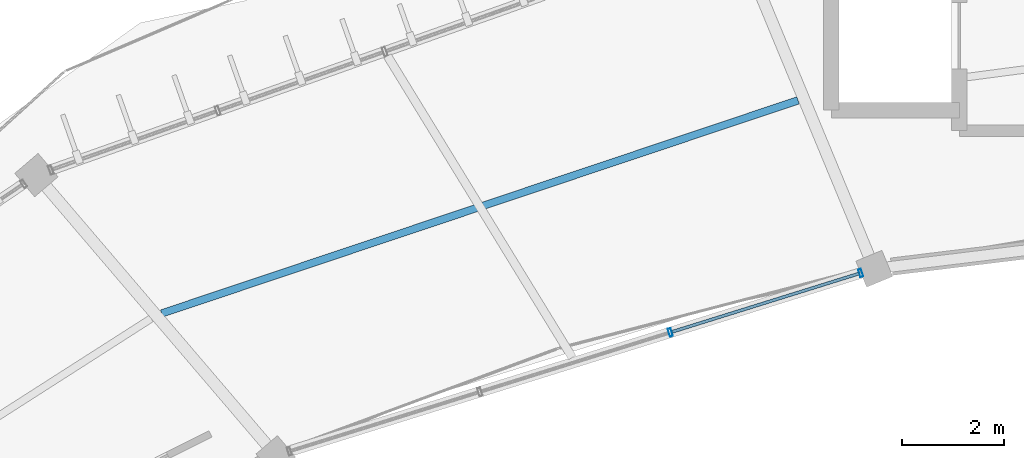
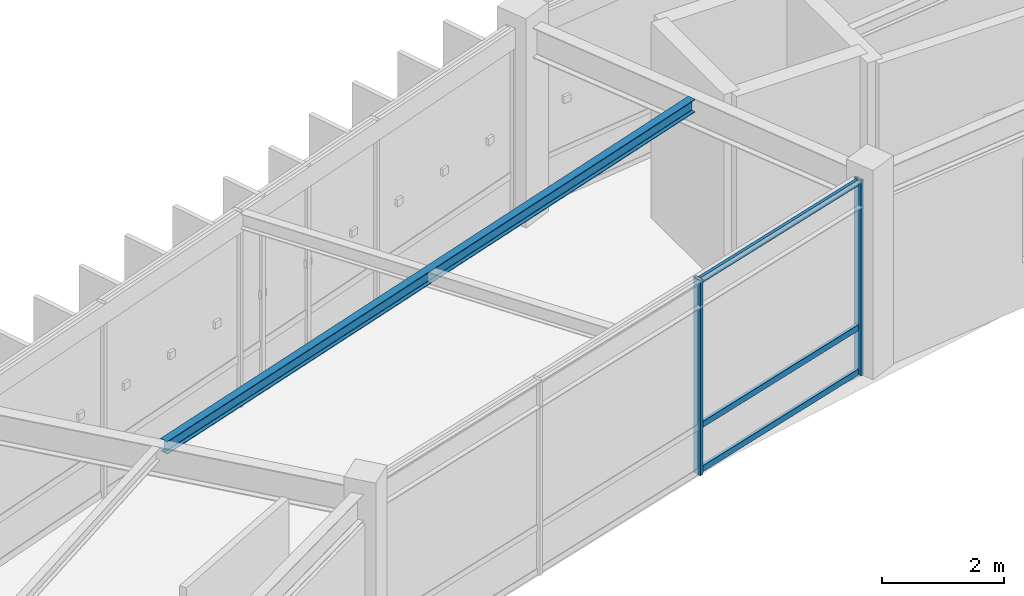
# One storey, part 39 of 83: 5 members, 1 beam, 1 element without a shape of its own.
"""IFC4 building model written with IfcOpenShell, lengths in metres."""

from ifc_helpers import new_model, si_unit, direction, frame, origin, origin_2d, place, context, subcontext, project, spatial, hollow_rectangle, i_section, extrude, material, material_profile, profile_set, type_object, element, aggregate, save


model = new_model("IFC4")

# Units and contexts
model_context = context("Model", 3, precision=1e-05, world=origin(), true_north=direction((0.0, 1.0)))
body_context = subcontext(model_context, "Body", "Model", "MODEL_VIEW")
ifc_project = project(units=[si_unit("LENGTHUNIT", "METRE"), si_unit("AREAUNIT", "SQUARE_METRE"), si_unit("VOLUMEUNIT", "CUBIC_METRE"), si_unit("PLANEANGLEUNIT", "RADIAN"), si_unit("MASSUNIT", "GRAM", prefix="KILO"), si_unit("THERMODYNAMICTEMPERATUREUNIT", "KELVIN"), si_unit("POWERUNIT", "WATT")], contexts=[model_context])

# Site, building, storey
site_placement = place(None, origin())
site = spatial("IfcSite", under=ifc_project, at=site_placement, CompositionType="ELEMENT")
building_placement = place(site_placement, origin())
building = spatial("IfcBuilding", under=site, at=building_placement, Name="Darbajah Civic Hall", CompositionType="ELEMENT")
storey_placement = place(building_placement, frame((0.0, 0.0, 18.0)))
storey = spatial("IfcBuildingStorey", under=building, at=storey_placement, Name="L04", CompositionType="ELEMENT", Elevation=18.0)

# Curtain wall, members
ifc_material_1 = material(Name="Anodised Bronze Aluminium and Low-E Glazing", Category="aluminium")
curtain_wall_type = type_object("IfcCurtainWallType", Name="Unitised Curtain Wall CW-67 11700x3900", PredefinedType="USERDEFINED", material=ifc_material_1)
curtain_wall_placement = place(storey_placement, origin())
curtain_wall = element("IfcCurtainWall", 1, at=curtain_wall_placement, inside=storey, type_object=curtain_wall_type, Name="L04 unitised curtain wall CW-V1I-L04-06", ObjectType="UNITISED CURTAIN WALL", PredefinedType="USERDEFINED")
ifc_material_2 = material(Name="Anodised Bronze Aluminium", Category="aluminium")
ifc_material_profile_1 = material_profile(ifc_material_2, hollow_rectangle(XDim=0.06005859375, YDim=0.159912109375, WallThickness=0.00341796875, at=origin_2d()), Name="ALU MULLION 60x160")
ifc_profile_set_1 = profile_set([ifc_material_profile_1], Name="Anodised Bronze Aluminium")
member_type_1 = type_object("IfcMemberType", Name="ALU MULLION 60x160", PredefinedType="MULLION", material=ifc_profile_set_1)
member_1_placement = place(storey_placement, frame((72.07421875, 110.320068359375, 0.0), z_axis=(0.0, 0.0, 1.0), x_axis=(-0.954604963513, -0.297874744877, 0.0)))
member_1 = element("IfcMember", 2, at=member_1_placement, type_object=member_type_1, Name="CW-V1I-L04-06 mullion 1", PredefinedType="MULLION", context=body_context, shape_type="SweptSolid", body=[
    extrude(hollow_rectangle(XDim=0.06005859375, YDim=0.159912109375, WallThickness=0.00341796875, at=origin_2d()), origin(), (0.0, 0.0, 1.0), 3.919921875),
])
member_2_placement = place(storey_placement, frame((68.355712890625, 109.159912109375, 0.0), z_axis=(0.0, 0.0, 1.0), x_axis=(-0.954604963513, -0.297874744877, 0.0)))
member_2 = element("IfcMember", 3, at=member_2_placement, type_object=member_type_1, Name="CW-V1I-L04-06 mullion 2", PredefinedType="MULLION", context=body_context, shape_type="SweptSolid", body=[
    extrude(hollow_rectangle(XDim=0.06005859375, YDim=0.159912109375, WallThickness=0.00341796875, at=origin_2d()), origin(), (0.0, 0.0, 1.0), 3.919921875),
])
ifc_material_profile_2 = material_profile(ifc_material_2, hollow_rectangle(XDim=0.06005859375, YDim=0.1201171875, WallThickness=0.003173828125, at=origin_2d()), Name="ALU TRANSOM 60x120")
ifc_profile_set_2 = profile_set([ifc_material_profile_2], Name="Anodised Bronze Aluminium")
member_type_2 = type_object("IfcMemberType", Name="ALU TRANSOM 60x120", PredefinedType="USERDEFINED", material=ifc_profile_set_2)
member_3_placement = place(storey_placement, frame((72.040771484375, 110.3095703125, 0.06005859375), z_axis=(-0.954632024493, -0.297788008175, 0.0), x_axis=(0.297788008175, -0.954632024493, 0.0)))
member_3 = element("IfcMember", 4, at=member_3_placement, type_object=member_type_2, Name="CW-V1I-L04-06 transom 1.1", ObjectType="TRANSOM", PredefinedType="USERDEFINED", context=body_context, shape_type="SweptSolid", body=[
    extrude(hollow_rectangle(XDim=0.06005859375, YDim=0.1201171875, WallThickness=0.003173828125, at=origin_2d()), origin(), (0.0, 0.0, 1.0), 3.825439453125),
])
member_4_placement = place(storey_placement, frame((72.040771484375, 110.3095703125, 0.949951171875), z_axis=(-0.954632024493, -0.297788008175, 0.0), x_axis=(0.297788008175, -0.954632024493, 0.0)))
member_4 = element("IfcMember", 5, at=member_4_placement, type_object=member_type_2, Name="CW-V1I-L04-06 transom 1.2", ObjectType="TRANSOM", PredefinedType="USERDEFINED", context=body_context, shape_type="SweptSolid", body=[
    extrude(hollow_rectangle(XDim=0.06005859375, YDim=0.1201171875, WallThickness=0.003173828125, at=origin_2d()), origin(), (0.0, 0.0, 1.0), 3.825439453125),
])
member_5_placement = place(storey_placement, frame((72.040771484375, 110.3095703125, 3.860107421875), z_axis=(-0.954632024493, -0.297788008175, 0.0), x_axis=(0.297788008175, -0.954632024493, 0.0)))
member_5 = element("IfcMember", 6, at=member_5_placement, type_object=member_type_2, Name="CW-V1I-L04-06 transom 1.3", ObjectType="TRANSOM", PredefinedType="USERDEFINED", context=body_context, shape_type="SweptSolid", body=[
    extrude(hollow_rectangle(XDim=0.06005859375, YDim=0.1201171875, WallThickness=0.003173828125, at=origin_2d()), origin(), (0.0, 0.0, 1.0), 3.825439453125),
])
aggregate(curtain_wall, [member_1, member_2, member_3, member_4, member_5])

# Beam
ifc_material_3 = material(Name="Steel S355JR", Category="steel")
ifc_material_profile_3 = material_profile(ifc_material_3, i_section(OverallWidth=0.146484375, OverallDepth=0.256103515625, WebThickness=0.00634765625, FlangeThickness=0.010986328125, FilletRadius=0.007568359375, at=origin_2d()), Name="UB 254x146x37")
ifc_profile_set_3 = profile_set([ifc_material_profile_3], Name="Steel S355JR")
beam_type = type_object("IfcBeamType", Name="UB 254x146x37", PredefinedType="JOIST", material=ifc_profile_set_3)
beam_placement = place(storey_placement, frame((70.850830078125, 113.691650390625, 3.7919921875), z_axis=(-0.948257615403, -0.317501960357, 0.0), x_axis=(0.317501960357, -0.948257615403, 0.0)))
element("IfcBeam", 7, at=beam_placement, inside=storey, type_object=beam_type, Name="L04 beam SJ-254", PredefinedType="JOIST", context=body_context, shape_type="SweptSolid", body=[
    extrude(i_section(OverallWidth=0.146484375, OverallDepth=0.256103515625, WebThickness=0.00634765625, FlangeThickness=0.010986328125, FilletRadius=0.007568359375, at=origin_2d()), origin(), (0.0, 0.0, 1.0), 13.102783203125),
])

save(model, "model.ifc")
